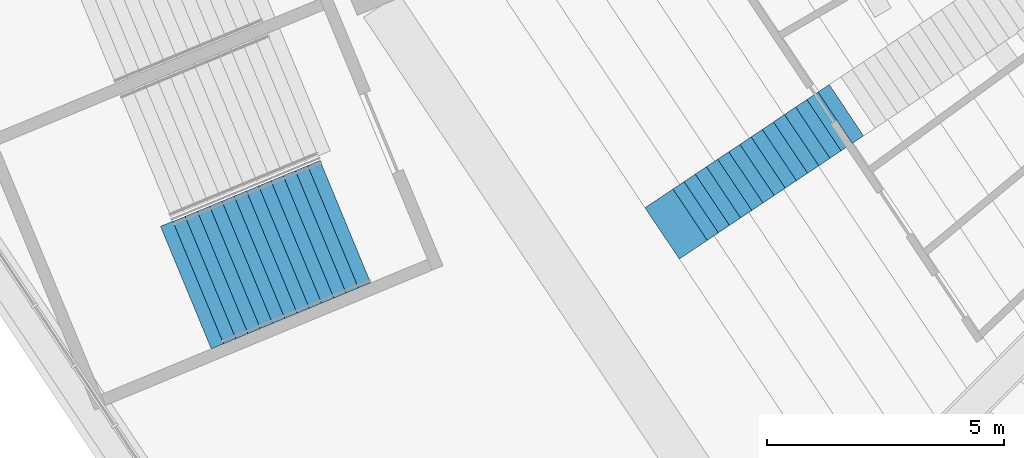
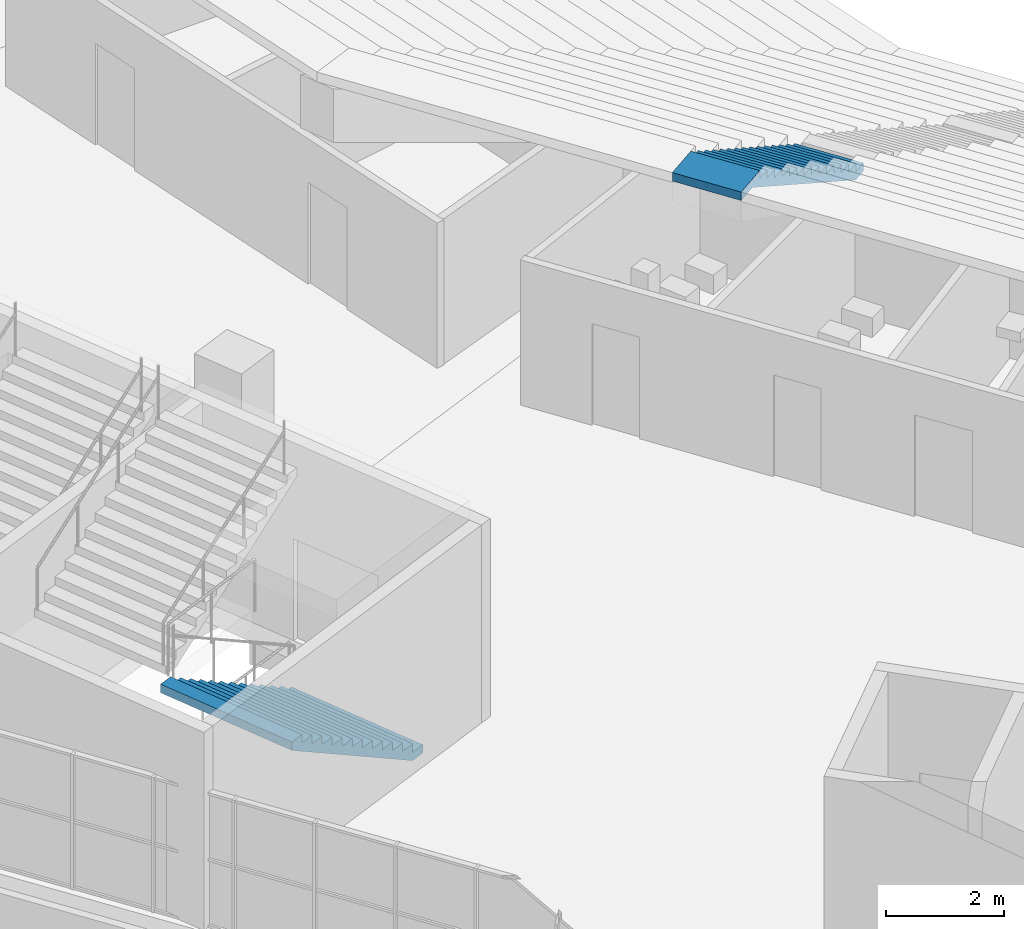
# One storey, part 130 of 249: 2 stair flights, 2 elements without a shape of their own.
"""IFC4 building model written with IfcOpenShell, lengths in metres."""

from ifc_helpers import new_model, si_unit, direction, frame, origin, place, context, subcontext, project, spatial, faceted_brep, material, type_object, element, aggregate, save


model = new_model("IFC4")

# Units and contexts
model_context = context("Model", 3, precision=1e-05, world=origin(), true_north=direction((0.0, 1.0)))
body_context = subcontext(model_context, "Body", "Model", "MODEL_VIEW")
ifc_project = project(units=[si_unit("LENGTHUNIT", "METRE"), si_unit("AREAUNIT", "SQUARE_METRE"), si_unit("VOLUMEUNIT", "CUBIC_METRE"), si_unit("PLANEANGLEUNIT", "RADIAN"), si_unit("MASSUNIT", "GRAM", prefix="KILO")], contexts=[model_context])

# Site, building, storey
site_placement = place(None, origin())
site = spatial("IfcSite", under=ifc_project, at=site_placement, CompositionType="ELEMENT")
building_placement = place(site_placement, origin())
building = spatial("IfcBuilding", under=site, at=building_placement, Name="Ogive Plaza Stadium", CompositionType="ELEMENT")
storey_placement = place(building_placement, frame((0.0, 0.0, 13.5)))
storey = spatial("IfcBuildingStorey", under=building, at=storey_placement, Name="L03", CompositionType="ELEMENT", Elevation=13.5)

# Stair, stair flight
ifc_material_1 = material(Name="Concrete C40/50", Category="concrete")
stair_type_1 = type_object("IfcStairType", Name="Aisle stair", PredefinedType="STRAIGHT_RUN_STAIR", material=ifc_material_1)
stair_1_placement = place(storey_placement, origin())
stair_1 = element("IfcStair", 1, at=stair_1_placement, inside=storey, type_object=stair_type_1, Name="Aisle stair SA19U", PredefinedType="STRAIGHT_RUN_STAIR")
ifc_material_2 = material(Name="Concrete C40/50", Category="concrete")
stair_flight_type_1 = type_object("IfcStairFlightType", Name="Aisle stair flight", PredefinedType="STRAIGHT", material=ifc_material_2)
stair_flight_1_placement = place(storey_placement, frame((-60.8564453125, -70.44482421875, 6.5), z_axis=(0.0, 0.0, 1.0), x_axis=(-0.831469612303, -0.55557023302, 0.0)))
stair_flight_1 = element("IfcStairFlight", 2, at=stair_flight_1_placement, type_object=stair_flight_type_1, Name="SA19U flight 3", NumberOfRisers=15, NumberOfTreads=14, PredefinedType="STRAIGHT", RiserHeight=0.166666667, TreadLength=0.283333333, context=body_context, shape_type="Brep", body=[
    faceted_brep([(0.295654296875, -0.64990234375, 0.0), (4.25, -0.64990234375, 2.326171875), (4.675537109375, -0.64990234375, 2.326171875), (4.675537109375, -0.64990234375, 2.5), (3.966552734375, -0.64990234375, 2.5), (3.966552734375, -0.64990234375, 2.333251953125), (3.683349609375, -0.64990234375, 2.333251953125), (3.683349609375, -0.64990234375, 2.166748046875), (3.39990234375, -0.64990234375, 2.166748046875), (3.39990234375, -0.64990234375, 2.0), (3.11669921875, -0.64990234375, 2.0), (3.11669921875, -0.64990234375, 1.833251953125), (2.833251953125, -0.64990234375, 1.833251953125), (2.833251953125, -0.64990234375, 1.666748046875), (2.550048828125, -0.64990234375, 1.666748046875), (2.550048828125, -0.64990234375, 1.5), (2.2666015625, -0.64990234375, 1.5), (2.2666015625, -0.64990234375, 1.333251953125), (1.9833984375, -0.64990234375, 1.333251953125), (1.9833984375, -0.64990234375, 1.166748046875), (1.699951171875, -0.64990234375, 1.166748046875), (1.699951171875, -0.64990234375, 1.0), (1.416748046875, -0.64990234375, 1.0), (1.416748046875, -0.64990234375, 0.833251953125), (1.13330078125, -0.64990234375, 0.833251953125), (1.13330078125, -0.64990234375, 0.666748046875), (0.85009765625, -0.64990234375, 0.666748046875), (0.85009765625, -0.64990234375, 0.5), (0.566650390625, -0.64990234375, 0.5), (0.566650390625, -0.64990234375, 0.333251953125), (0.283447265625, -0.64990234375, 0.333251953125), (0.283447265625, -0.64990234375, 0.166748046875), (0.0, -0.64990234375, 0.166748046875), (0.0, -0.64990234375, 0.0), (0.0, 0.64990234375, 0.0), (0.0, 0.64990234375, 0.166748046875), (0.283447265625, 0.64990234375, 0.166748046875), (0.283447265625, 0.64990234375, 0.333251953125), (0.566650390625, 0.64990234375, 0.333251953125), (0.566650390625, 0.64990234375, 0.5), (0.85009765625, 0.64990234375, 0.5), (0.85009765625, 0.64990234375, 0.666748046875), (1.13330078125, 0.64990234375, 0.666748046875), (1.13330078125, 0.64990234375, 0.833251953125), (1.416748046875, 0.64990234375, 0.833251953125), (1.416748046875, 0.64990234375, 1.0), (1.699951171875, 0.64990234375, 1.0), (1.699951171875, 0.64990234375, 1.166748046875), (1.9833984375, 0.64990234375, 1.166748046875), (1.9833984375, 0.64990234375, 1.333251953125), (2.2666015625, 0.64990234375, 1.333251953125), (2.2666015625, 0.64990234375, 1.5), (2.550048828125, 0.64990234375, 1.5), (2.550048828125, 0.64990234375, 1.666748046875), (2.833251953125, 0.64990234375, 1.666748046875), (2.833251953125, 0.64990234375, 1.833251953125), (3.11669921875, 0.64990234375, 1.833251953125), (3.11669921875, 0.64990234375, 2.0), (3.39990234375, 0.64990234375, 2.0), (3.39990234375, 0.64990234375, 2.166748046875), (3.683349609375, 0.64990234375, 2.166748046875), (3.683349609375, 0.64990234375, 2.333251953125), (3.966552734375, 0.64990234375, 2.333251953125), (3.966552734375, 0.64990234375, 2.5), (4.675537109375, 0.64990234375, 2.5), (4.675537109375, 0.64990234375, 2.326171875), (4.25, 0.64990234375, 2.326171875), (0.295654296875, 0.64990234375, 0.0), (0.295654296875, -0.324951171875, 0.0), (4.25, -0.324951171875, 2.326171875), (0.295654296875, 0.0, 0.0), (4.25, 0.0, 2.326171875), (0.295654296875, 0.324951171875, 0.0), (4.25, 0.324951171875, 2.326171875), (4.675537109375, -0.324951171875, 2.326171875), (4.675537109375, 0.0, 2.326171875), (4.675537109375, 0.324951171875, 2.326171875), (4.675537109375, -0.324951171875, 2.5), (4.675537109375, 0.0, 2.5), (4.675537109375, 0.324951171875, 2.5), (3.966552734375, -0.324951171875, 2.5), (3.966552734375, 0.0, 2.5), (3.966552734375, 0.324951171875, 2.5), (3.966552734375, -0.324951171875, 2.333251953125), (3.966552734375, 0.0, 2.333251953125), (3.966552734375, 0.324951171875, 2.333251953125), (3.683349609375, -0.324951171875, 2.333251953125), (3.683349609375, 0.0, 2.333251953125), (3.683349609375, 0.324951171875, 2.333251953125), (3.683349609375, -0.324951171875, 2.166748046875), (3.683349609375, 0.0, 2.166748046875), (3.683349609375, 0.324951171875, 2.166748046875), (3.39990234375, -0.324951171875, 2.166748046875), (3.39990234375, 0.0, 2.166748046875), (3.39990234375, 0.324951171875, 2.166748046875), (3.39990234375, -0.324951171875, 2.0), (3.39990234375, 0.0, 2.0), (3.39990234375, 0.324951171875, 2.0), (3.11669921875, -0.324951171875, 2.0), (3.11669921875, 0.0, 2.0), (3.11669921875, 0.324951171875, 2.0), (3.11669921875, -0.324951171875, 1.833251953125), (3.11669921875, 0.0, 1.833251953125), (3.11669921875, 0.324951171875, 1.833251953125), (2.833251953125, -0.324951171875, 1.833251953125), (2.833251953125, 0.0, 1.833251953125), (2.833251953125, 0.324951171875, 1.833251953125), (2.833251953125, -0.324951171875, 1.666748046875), (2.833251953125, 0.0, 1.666748046875), (2.833251953125, 0.324951171875, 1.666748046875), (2.550048828125, -0.324951171875, 1.666748046875), (2.550048828125, 0.0, 1.666748046875), (2.550048828125, 0.324951171875, 1.666748046875), (2.550048828125, -0.324951171875, 1.5), (2.550048828125, 0.0, 1.5), (2.550048828125, 0.324951171875, 1.5), (2.2666015625, -0.324951171875, 1.5), (2.2666015625, 0.0, 1.5), (2.2666015625, 0.324951171875, 1.5), (2.2666015625, -0.324951171875, 1.333251953125), (2.2666015625, 0.0, 1.333251953125), (2.2666015625, 0.324951171875, 1.333251953125), (1.9833984375, -0.324951171875, 1.333251953125), (1.9833984375, 0.0, 1.333251953125), (1.9833984375, 0.324951171875, 1.333251953125), (1.9833984375, -0.324951171875, 1.166748046875), (1.9833984375, 0.0, 1.166748046875), (1.9833984375, 0.324951171875, 1.166748046875), (1.699951171875, -0.324951171875, 1.166748046875), (1.699951171875, 0.0, 1.166748046875), (1.699951171875, 0.324951171875, 1.166748046875), (1.699951171875, -0.324951171875, 1.0), (1.699951171875, 0.0, 1.0), (1.699951171875, 0.324951171875, 1.0), (1.416748046875, -0.324951171875, 1.0), (1.416748046875, 0.0, 1.0), (1.416748046875, 0.324951171875, 1.0), (1.416748046875, -0.324951171875, 0.833251953125), (1.416748046875, 0.0, 0.833251953125), (1.416748046875, 0.324951171875, 0.833251953125), (1.13330078125, -0.324951171875, 0.833251953125), (1.13330078125, 0.0, 0.833251953125), (1.13330078125, 0.324951171875, 0.833251953125), (1.13330078125, -0.324951171875, 0.666748046875), (1.13330078125, 0.0, 0.666748046875), (1.13330078125, 0.324951171875, 0.666748046875), (0.85009765625, -0.324951171875, 0.666748046875), (0.85009765625, 0.0, 0.666748046875), (0.85009765625, 0.324951171875, 0.666748046875), (0.85009765625, -0.324951171875, 0.5), (0.85009765625, 0.0, 0.5), (0.85009765625, 0.324951171875, 0.5), (0.566650390625, -0.324951171875, 0.5), (0.566650390625, 0.0, 0.5), (0.566650390625, 0.324951171875, 0.5), (0.566650390625, -0.324951171875, 0.333251953125), (0.566650390625, 0.0, 0.333251953125), (0.566650390625, 0.324951171875, 0.333251953125), (0.283447265625, -0.324951171875, 0.333251953125), (0.283447265625, 0.0, 0.333251953125), (0.283447265625, 0.324951171875, 0.333251953125), (0.283447265625, -0.324951171875, 0.166748046875), (0.283447265625, 0.0, 0.166748046875), (0.283447265625, 0.324951171875, 0.166748046875), (0.0, -0.324951171875, 0.166748046875), (0.0, 0.0, 0.166748046875), (0.0, 0.324951171875, 0.166748046875), (0.0, -0.324951171875, 0.0), (0.0, 0.0, 0.0), (0.0, 0.324951171875, 0.0)], [[[0, 1, 2, 3, 4, 5, 6, 7, 8, 9, 10, 11, 12, 13, 14, 15, 16, 17, 18, 19, 20, 21, 22, 23, 24, 25, 26, 27, 28, 29, 30, 31, 32, 33]], [[34, 35, 36, 37, 38, 39, 40, 41, 42, 43, 44, 45, 46, 47, 48, 49, 50, 51, 52, 53, 54, 55, 56, 57, 58, 59, 60, 61, 62, 63, 64, 65, 66, 67]], [[0, 68, 69, 1]], [[68, 70, 71, 69]], [[70, 72, 73, 71]], [[72, 67, 66, 73]], [[1, 69, 74, 2]], [[69, 71, 75, 74]], [[71, 73, 76, 75]], [[73, 66, 65, 76]], [[2, 74, 77, 3]], [[74, 75, 78, 77]], [[75, 76, 79, 78]], [[76, 65, 64, 79]], [[3, 77, 80, 4]], [[77, 78, 81, 80]], [[78, 79, 82, 81]], [[79, 64, 63, 82]], [[4, 80, 83, 5]], [[80, 81, 84, 83]], [[81, 82, 85, 84]], [[82, 63, 62, 85]], [[5, 83, 86, 6]], [[83, 84, 87, 86]], [[84, 85, 88, 87]], [[85, 62, 61, 88]], [[6, 86, 89, 7]], [[86, 87, 90, 89]], [[87, 88, 91, 90]], [[88, 61, 60, 91]], [[7, 89, 92, 8]], [[89, 90, 93, 92]], [[90, 91, 94, 93]], [[91, 60, 59, 94]], [[8, 92, 95, 9]], [[92, 93, 96, 95]], [[93, 94, 97, 96]], [[94, 59, 58, 97]], [[9, 95, 98, 10]], [[95, 96, 99, 98]], [[96, 97, 100, 99]], [[97, 58, 57, 100]], [[10, 98, 101, 11]], [[98, 99, 102, 101]], [[99, 100, 103, 102]], [[100, 57, 56, 103]], [[11, 101, 104, 12]], [[101, 102, 105, 104]], [[102, 103, 106, 105]], [[103, 56, 55, 106]], [[12, 104, 107, 13]], [[104, 105, 108, 107]], [[105, 106, 109, 108]], [[106, 55, 54, 109]], [[13, 107, 110, 14]], [[107, 108, 111, 110]], [[108, 109, 112, 111]], [[109, 54, 53, 112]], [[14, 110, 113, 15]], [[110, 111, 114, 113]], [[111, 112, 115, 114]], [[112, 53, 52, 115]], [[15, 113, 116, 16]], [[113, 114, 117, 116]], [[114, 115, 118, 117]], [[115, 52, 51, 118]], [[16, 116, 119, 17]], [[116, 117, 120, 119]], [[117, 118, 121, 120]], [[118, 51, 50, 121]], [[17, 119, 122, 18]], [[119, 120, 123, 122]], [[120, 121, 124, 123]], [[121, 50, 49, 124]], [[18, 122, 125, 19]], [[122, 123, 126, 125]], [[123, 124, 127, 126]], [[124, 49, 48, 127]], [[19, 125, 128, 20]], [[125, 126, 129, 128]], [[126, 127, 130, 129]], [[127, 48, 47, 130]], [[20, 128, 131, 21]], [[128, 129, 132, 131]], [[129, 130, 133, 132]], [[130, 47, 46, 133]], [[21, 131, 134, 22]], [[131, 132, 135, 134]], [[132, 133, 136, 135]], [[133, 46, 45, 136]], [[22, 134, 137, 23]], [[134, 135, 138, 137]], [[135, 136, 139, 138]], [[136, 45, 44, 139]], [[23, 137, 140, 24]], [[137, 138, 141, 140]], [[138, 139, 142, 141]], [[139, 44, 43, 142]], [[24, 140, 143, 25]], [[140, 141, 144, 143]], [[141, 142, 145, 144]], [[142, 43, 42, 145]], [[25, 143, 146, 26]], [[143, 144, 147, 146]], [[144, 145, 148, 147]], [[145, 42, 41, 148]], [[26, 146, 149, 27]], [[146, 147, 150, 149]], [[147, 148, 151, 150]], [[148, 41, 40, 151]], [[27, 149, 152, 28]], [[149, 150, 153, 152]], [[150, 151, 154, 153]], [[151, 40, 39, 154]], [[28, 152, 155, 29]], [[152, 153, 156, 155]], [[153, 154, 157, 156]], [[154, 39, 38, 157]], [[29, 155, 158, 30]], [[155, 156, 159, 158]], [[156, 157, 160, 159]], [[157, 38, 37, 160]], [[30, 158, 161, 31]], [[158, 159, 162, 161]], [[159, 160, 163, 162]], [[160, 37, 36, 163]], [[31, 161, 164, 32]], [[161, 162, 165, 164]], [[162, 163, 166, 165]], [[163, 36, 35, 166]], [[32, 164, 167, 33]], [[164, 165, 168, 167]], [[165, 166, 169, 168]], [[166, 35, 34, 169]], [[33, 167, 68, 0]], [[167, 168, 70, 68]], [[168, 169, 72, 70]], [[169, 34, 67, 72]]]),
])
aggregate(stair_1, [stair_flight_1])

ifc_material_3 = material(Name="Concrete C40/50", Category="concrete")
stair_type_2 = type_object("IfcStairType", Name="Exit stair", PredefinedType="STRAIGHT_RUN_STAIR", material=ifc_material_3)
stair_2_placement = place(storey_placement, origin())
stair_2 = element("IfcStair", 3, at=stair_2_placement, inside=storey, type_object=stair_type_2, Name="Exit stair ST20B L03 to L04", PredefinedType="STRAIGHT_RUN_STAIR")
ifc_material_4 = material(Name="Concrete C40/50", Category="concrete")
stair_flight_type_2 = type_object("IfcStairFlightType", Name="Exit stair flight", PredefinedType="STRAIGHT", material=ifc_material_4)
stair_flight_2_placement = place(storey_placement, frame((-71.432861328125, -72.794921875, 0.0), z_axis=(0.0, 0.0, 1.0), x_axis=(-0.923879532511, -0.382683432365, 0.0)))
stair_flight_2 = element("IfcStairFlight", 4, at=stair_flight_2_placement, type_object=stair_flight_type_2, Name="ST20B flight 1", NumberOfRisers=13, NumberOfTreads=12, PredefinedType="STRAIGHT", RiserHeight=0.173076923, TreadLength=0.28, context=body_context, shape_type="Brep", body=[
    faceted_brep([(0.28515625, -1.39990234375, 0.0), (3.639892578125, -1.39990234375, 2.07373046875), (3.639892578125, -1.39990234375, 2.25), (3.360107421875, -1.39990234375, 2.25), (3.360107421875, -1.39990234375, 2.076904296875), (3.080078125, -1.39990234375, 2.076904296875), (3.080078125, -1.39990234375, 1.90380859375), (2.800048828125, -1.39990234375, 1.90380859375), (2.800048828125, -1.39990234375, 1.730712890625), (2.52001953125, -1.39990234375, 1.730712890625), (2.52001953125, -1.39990234375, 1.5576171875), (2.239990234375, -1.39990234375, 1.5576171875), (2.239990234375, -1.39990234375, 1.384521484375), (1.9599609375, -1.39990234375, 1.384521484375), (1.9599609375, -1.39990234375, 1.21142578125), (1.679931640625, -1.39990234375, 1.21142578125), (1.679931640625, -1.39990234375, 1.03857421875), (1.39990234375, -1.39990234375, 1.03857421875), (1.39990234375, -1.39990234375, 0.865478515625), (1.1201171875, -1.39990234375, 0.865478515625), (1.1201171875, -1.39990234375, 0.6923828125), (0.840087890625, -1.39990234375, 0.6923828125), (0.840087890625, -1.39990234375, 0.519287109375), (0.56005859375, -1.39990234375, 0.519287109375), (0.56005859375, -1.39990234375, 0.34619140625), (0.280029296875, -1.39990234375, 0.34619140625), (0.280029296875, -1.39990234375, 0.173095703125), (0.0, -1.39990234375, 0.173095703125), (0.0, -1.39990234375, 0.0), (0.0, 1.39990234375, 0.0), (0.0, 1.39990234375, 0.173095703125), (0.280029296875, 1.39990234375, 0.173095703125), (0.280029296875, 1.39990234375, 0.34619140625), (0.56005859375, 1.39990234375, 0.34619140625), (0.56005859375, 1.39990234375, 0.519287109375), (0.840087890625, 1.39990234375, 0.519287109375), (0.840087890625, 1.39990234375, 0.6923828125), (1.1201171875, 1.39990234375, 0.6923828125), (1.1201171875, 1.39990234375, 0.865478515625), (1.39990234375, 1.39990234375, 0.865478515625), (1.39990234375, 1.39990234375, 1.03857421875), (1.679931640625, 1.39990234375, 1.03857421875), (1.679931640625, 1.39990234375, 1.21142578125), (1.9599609375, 1.39990234375, 1.21142578125), (1.9599609375, 1.39990234375, 1.384521484375), (2.239990234375, 1.39990234375, 1.384521484375), (2.239990234375, 1.39990234375, 1.5576171875), (2.52001953125, 1.39990234375, 1.5576171875), (2.52001953125, 1.39990234375, 1.730712890625), (2.800048828125, 1.39990234375, 1.730712890625), (2.800048828125, 1.39990234375, 1.90380859375), (3.080078125, 1.39990234375, 1.90380859375), (3.080078125, 1.39990234375, 2.076904296875), (3.360107421875, 1.39990234375, 2.076904296875), (3.360107421875, 1.39990234375, 2.25), (3.639892578125, 1.39990234375, 2.25), (3.639892578125, 1.39990234375, 2.07373046875), (0.28515625, 1.39990234375, 0.0), (0.28515625, -1.0888671875, 0.0), (3.639892578125, -1.0888671875, 2.07373046875), (0.28515625, -0.77783203125, 0.0), (3.639892578125, -0.77783203125, 2.07373046875), (0.28515625, -0.466796875, 0.0), (3.639892578125, -0.466796875, 2.07373046875), (0.28515625, -0.155517578125, 0.0), (3.639892578125, -0.155517578125, 2.07373046875), (0.28515625, 0.155517578125, 0.0), (3.639892578125, 0.155517578125, 2.07373046875), (0.28515625, 0.466796875, 0.0), (3.639892578125, 0.466796875, 2.07373046875), (0.28515625, 0.77783203125, 0.0), (3.639892578125, 0.77783203125, 2.07373046875), (0.28515625, 1.0888671875, 0.0), (3.639892578125, 1.0888671875, 2.07373046875), (3.639892578125, -1.0888671875, 2.25), (3.639892578125, -0.77783203125, 2.25), (3.639892578125, -0.466796875, 2.25), (3.639892578125, -0.155517578125, 2.25), (3.639892578125, 0.155517578125, 2.25), (3.639892578125, 0.466796875, 2.25), (3.639892578125, 0.77783203125, 2.25), (3.639892578125, 1.0888671875, 2.25), (3.360107421875, -1.0888671875, 2.25), (3.360107421875, -0.77783203125, 2.25), (3.360107421875, -0.466796875, 2.25), (3.360107421875, -0.155517578125, 2.25), (3.360107421875, 0.155517578125, 2.25), (3.360107421875, 0.466796875, 2.25), (3.360107421875, 0.77783203125, 2.25), (3.360107421875, 1.0888671875, 2.25), (3.360107421875, -1.0888671875, 2.076904296875), (3.360107421875, -0.77783203125, 2.076904296875), (3.360107421875, -0.466796875, 2.076904296875), (3.360107421875, -0.155517578125, 2.076904296875), (3.360107421875, 0.155517578125, 2.076904296875), (3.360107421875, 0.466796875, 2.076904296875), (3.360107421875, 0.77783203125, 2.076904296875), (3.360107421875, 1.0888671875, 2.076904296875), (3.080078125, -1.0888671875, 2.076904296875), (3.080078125, -0.77783203125, 2.076904296875), (3.080078125, -0.466796875, 2.076904296875), (3.080078125, -0.155517578125, 2.076904296875), (3.080078125, 0.155517578125, 2.076904296875), (3.080078125, 0.466796875, 2.076904296875), (3.080078125, 0.77783203125, 2.076904296875), (3.080078125, 1.0888671875, 2.076904296875), (3.080078125, -1.0888671875, 1.90380859375), (3.080078125, -0.77783203125, 1.90380859375), (3.080078125, -0.466796875, 1.90380859375), (3.080078125, -0.155517578125, 1.90380859375), (3.080078125, 0.155517578125, 1.90380859375), (3.080078125, 0.466796875, 1.90380859375), (3.080078125, 0.77783203125, 1.90380859375), (3.080078125, 1.0888671875, 1.90380859375), (2.800048828125, -1.0888671875, 1.90380859375), (2.800048828125, -0.77783203125, 1.90380859375), (2.800048828125, -0.466796875, 1.90380859375), (2.800048828125, -0.155517578125, 1.90380859375), (2.800048828125, 0.155517578125, 1.90380859375), (2.800048828125, 0.466796875, 1.90380859375), (2.800048828125, 0.77783203125, 1.90380859375), (2.800048828125, 1.0888671875, 1.90380859375), (2.800048828125, -1.0888671875, 1.730712890625), (2.800048828125, -0.77783203125, 1.730712890625), (2.800048828125, -0.466796875, 1.730712890625), (2.800048828125, -0.155517578125, 1.730712890625), (2.800048828125, 0.155517578125, 1.730712890625), (2.800048828125, 0.466796875, 1.730712890625), (2.800048828125, 0.77783203125, 1.730712890625), (2.800048828125, 1.0888671875, 1.730712890625), (2.52001953125, -1.0888671875, 1.730712890625), (2.52001953125, -0.77783203125, 1.730712890625), (2.52001953125, -0.466796875, 1.730712890625), (2.52001953125, -0.155517578125, 1.730712890625), (2.52001953125, 0.155517578125, 1.730712890625), (2.52001953125, 0.466796875, 1.730712890625), (2.52001953125, 0.77783203125, 1.730712890625), (2.52001953125, 1.0888671875, 1.730712890625), (2.52001953125, -1.0888671875, 1.5576171875), (2.52001953125, -0.77783203125, 1.5576171875), (2.52001953125, -0.466796875, 1.5576171875), (2.52001953125, -0.155517578125, 1.5576171875), (2.52001953125, 0.155517578125, 1.5576171875), (2.52001953125, 0.466796875, 1.5576171875), (2.52001953125, 0.77783203125, 1.5576171875), (2.52001953125, 1.0888671875, 1.5576171875), (2.239990234375, -1.0888671875, 1.5576171875), (2.239990234375, -0.77783203125, 1.5576171875), (2.239990234375, -0.466796875, 1.5576171875), (2.239990234375, -0.155517578125, 1.5576171875), (2.239990234375, 0.155517578125, 1.5576171875), (2.239990234375, 0.466796875, 1.5576171875), (2.239990234375, 0.77783203125, 1.5576171875), (2.239990234375, 1.0888671875, 1.5576171875), (2.239990234375, -1.0888671875, 1.384521484375), (2.239990234375, -0.77783203125, 1.384521484375), (2.239990234375, -0.466796875, 1.384521484375), (2.239990234375, -0.155517578125, 1.384521484375), (2.239990234375, 0.155517578125, 1.384521484375), (2.239990234375, 0.466796875, 1.384521484375), (2.239990234375, 0.77783203125, 1.384521484375), (2.239990234375, 1.0888671875, 1.384521484375), (1.9599609375, -1.0888671875, 1.384521484375), (1.9599609375, -0.77783203125, 1.384521484375), (1.9599609375, -0.466796875, 1.384521484375), (1.9599609375, -0.155517578125, 1.384521484375), (1.9599609375, 0.155517578125, 1.384521484375), (1.9599609375, 0.466796875, 1.384521484375), (1.9599609375, 0.77783203125, 1.384521484375), (1.9599609375, 1.0888671875, 1.384521484375), (1.9599609375, -1.0888671875, 1.21142578125), (1.9599609375, -0.77783203125, 1.21142578125), (1.9599609375, -0.466796875, 1.21142578125), (1.9599609375, -0.155517578125, 1.21142578125), (1.9599609375, 0.155517578125, 1.21142578125), (1.9599609375, 0.466796875, 1.21142578125), (1.9599609375, 0.77783203125, 1.21142578125), (1.9599609375, 1.0888671875, 1.21142578125), (1.679931640625, -1.0888671875, 1.21142578125), (1.679931640625, -0.77783203125, 1.21142578125), (1.679931640625, -0.466796875, 1.21142578125), (1.679931640625, -0.155517578125, 1.21142578125), (1.679931640625, 0.155517578125, 1.21142578125), (1.679931640625, 0.466796875, 1.21142578125), (1.679931640625, 0.77783203125, 1.21142578125), (1.679931640625, 1.0888671875, 1.21142578125), (1.679931640625, -1.0888671875, 1.03857421875), (1.679931640625, -0.77783203125, 1.03857421875), (1.679931640625, -0.466796875, 1.03857421875), (1.679931640625, -0.155517578125, 1.03857421875), (1.679931640625, 0.155517578125, 1.03857421875), (1.679931640625, 0.466796875, 1.03857421875), (1.679931640625, 0.77783203125, 1.03857421875), (1.679931640625, 1.0888671875, 1.03857421875), (1.39990234375, -1.0888671875, 1.03857421875), (1.39990234375, -0.77783203125, 1.03857421875), (1.39990234375, -0.466796875, 1.03857421875), (1.39990234375, -0.155517578125, 1.03857421875), (1.39990234375, 0.155517578125, 1.03857421875), (1.39990234375, 0.466796875, 1.03857421875), (1.39990234375, 0.77783203125, 1.03857421875), (1.39990234375, 1.0888671875, 1.03857421875), (1.39990234375, -1.0888671875, 0.865478515625), (1.39990234375, -0.77783203125, 0.865478515625), (1.39990234375, -0.466796875, 0.865478515625), (1.39990234375, -0.155517578125, 0.865478515625), (1.39990234375, 0.155517578125, 0.865478515625), (1.39990234375, 0.466796875, 0.865478515625), (1.39990234375, 0.77783203125, 0.865478515625), (1.39990234375, 1.0888671875, 0.865478515625), (1.1201171875, -1.0888671875, 0.865478515625), (1.1201171875, -0.77783203125, 0.865478515625), (1.1201171875, -0.466796875, 0.865478515625), (1.1201171875, -0.155517578125, 0.865478515625), (1.1201171875, 0.155517578125, 0.865478515625), (1.1201171875, 0.466796875, 0.865478515625), (1.1201171875, 0.77783203125, 0.865478515625), (1.1201171875, 1.0888671875, 0.865478515625), (1.1201171875, -1.0888671875, 0.6923828125), (1.1201171875, -0.77783203125, 0.6923828125), (1.1201171875, -0.466796875, 0.6923828125), (1.1201171875, -0.155517578125, 0.6923828125), (1.1201171875, 0.155517578125, 0.6923828125), (1.1201171875, 0.466796875, 0.6923828125), (1.1201171875, 0.77783203125, 0.6923828125), (1.1201171875, 1.0888671875, 0.6923828125), (0.840087890625, -1.0888671875, 0.6923828125), (0.840087890625, -0.77783203125, 0.6923828125), (0.840087890625, -0.466796875, 0.6923828125), (0.840087890625, -0.155517578125, 0.6923828125), (0.840087890625, 0.155517578125, 0.6923828125), (0.840087890625, 0.466796875, 0.6923828125), (0.840087890625, 0.77783203125, 0.6923828125), (0.840087890625, 1.0888671875, 0.6923828125), (0.840087890625, -1.0888671875, 0.519287109375), (0.840087890625, -0.77783203125, 0.519287109375), (0.840087890625, -0.466796875, 0.519287109375), (0.840087890625, -0.155517578125, 0.519287109375), (0.840087890625, 0.155517578125, 0.519287109375), (0.840087890625, 0.466796875, 0.519287109375), (0.840087890625, 0.77783203125, 0.519287109375), (0.840087890625, 1.0888671875, 0.519287109375), (0.56005859375, -1.0888671875, 0.519287109375), (0.56005859375, -0.77783203125, 0.519287109375), (0.56005859375, -0.466796875, 0.519287109375), (0.56005859375, -0.155517578125, 0.519287109375), (0.56005859375, 0.155517578125, 0.519287109375), (0.56005859375, 0.466796875, 0.519287109375), (0.56005859375, 0.77783203125, 0.519287109375), (0.56005859375, 1.0888671875, 0.519287109375), (0.56005859375, -1.0888671875, 0.34619140625), (0.56005859375, -0.77783203125, 0.34619140625), (0.56005859375, -0.466796875, 0.34619140625), (0.56005859375, -0.155517578125, 0.34619140625), (0.56005859375, 0.155517578125, 0.34619140625), (0.56005859375, 0.466796875, 0.34619140625), (0.56005859375, 0.77783203125, 0.34619140625), (0.56005859375, 1.0888671875, 0.34619140625), (0.280029296875, -1.0888671875, 0.34619140625), (0.280029296875, -0.77783203125, 0.34619140625), (0.280029296875, -0.466796875, 0.34619140625), (0.280029296875, -0.155517578125, 0.34619140625), (0.280029296875, 0.155517578125, 0.34619140625), (0.280029296875, 0.466796875, 0.34619140625), (0.280029296875, 0.77783203125, 0.34619140625), (0.280029296875, 1.0888671875, 0.34619140625), (0.280029296875, -1.0888671875, 0.173095703125), (0.280029296875, -0.77783203125, 0.173095703125), (0.280029296875, -0.466796875, 0.173095703125), (0.280029296875, -0.155517578125, 0.173095703125), (0.280029296875, 0.155517578125, 0.173095703125), (0.280029296875, 0.466796875, 0.173095703125), (0.280029296875, 0.77783203125, 0.173095703125), (0.280029296875, 1.0888671875, 0.173095703125), (0.0, -1.0888671875, 0.173095703125), (0.0, -0.77783203125, 0.173095703125), (0.0, -0.466796875, 0.173095703125), (0.0, -0.155517578125, 0.173095703125), (0.0, 0.155517578125, 0.173095703125), (0.0, 0.466796875, 0.173095703125), (0.0, 0.77783203125, 0.173095703125), (0.0, 1.0888671875, 0.173095703125), (0.0, -1.0888671875, 0.0), (0.0, -0.77783203125, 0.0), (0.0, -0.466796875, 0.0), (0.0, -0.155517578125, 0.0), (0.0, 0.155517578125, 0.0), (0.0, 0.466796875, 0.0), (0.0, 0.77783203125, 0.0), (0.0, 1.0888671875, 0.0)], [[[0, 1, 2, 3, 4, 5, 6, 7, 8, 9, 10, 11, 12, 13, 14, 15, 16, 17, 18, 19, 20, 21, 22, 23, 24, 25, 26, 27, 28]], [[29, 30, 31, 32, 33, 34, 35, 36, 37, 38, 39, 40, 41, 42, 43, 44, 45, 46, 47, 48, 49, 50, 51, 52, 53, 54, 55, 56, 57]], [[0, 58, 59, 1]], [[58, 60, 61, 59]], [[60, 62, 63, 61]], [[62, 64, 65, 63]], [[64, 66, 67, 65]], [[66, 68, 69, 67]], [[68, 70, 71, 69]], [[70, 72, 73, 71]], [[72, 57, 56, 73]], [[1, 59, 74, 2]], [[59, 61, 75, 74]], [[61, 63, 76, 75]], [[63, 65, 77, 76]], [[65, 67, 78, 77]], [[67, 69, 79, 78]], [[69, 71, 80, 79]], [[71, 73, 81, 80]], [[73, 56, 55, 81]], [[2, 74, 82, 3]], [[74, 75, 83, 82]], [[75, 76, 84, 83]], [[76, 77, 85, 84]], [[77, 78, 86, 85]], [[78, 79, 87, 86]], [[79, 80, 88, 87]], [[80, 81, 89, 88]], [[81, 55, 54, 89]], [[3, 82, 90, 4]], [[82, 83, 91, 90]], [[83, 84, 92, 91]], [[84, 85, 93, 92]], [[85, 86, 94, 93]], [[86, 87, 95, 94]], [[87, 88, 96, 95]], [[88, 89, 97, 96]], [[89, 54, 53, 97]], [[4, 90, 98, 5]], [[90, 91, 99, 98]], [[91, 92, 100, 99]], [[92, 93, 101, 100]], [[93, 94, 102, 101]], [[94, 95, 103, 102]], [[95, 96, 104, 103]], [[96, 97, 105, 104]], [[97, 53, 52, 105]], [[5, 98, 106, 6]], [[98, 99, 107, 106]], [[99, 100, 108, 107]], [[100, 101, 109, 108]], [[101, 102, 110, 109]], [[102, 103, 111, 110]], [[103, 104, 112, 111]], [[104, 105, 113, 112]], [[105, 52, 51, 113]], [[6, 106, 114, 7]], [[106, 107, 115, 114]], [[107, 108, 116, 115]], [[108, 109, 117, 116]], [[109, 110, 118, 117]], [[110, 111, 119, 118]], [[111, 112, 120, 119]], [[112, 113, 121, 120]], [[113, 51, 50, 121]], [[7, 114, 122, 8]], [[114, 115, 123, 122]], [[115, 116, 124, 123]], [[116, 117, 125, 124]], [[117, 118, 126, 125]], [[118, 119, 127, 126]], [[119, 120, 128, 127]], [[120, 121, 129, 128]], [[121, 50, 49, 129]], [[8, 122, 130, 9]], [[122, 123, 131, 130]], [[123, 124, 132, 131]], [[124, 125, 133, 132]], [[125, 126, 134, 133]], [[126, 127, 135, 134]], [[127, 128, 136, 135]], [[128, 129, 137, 136]], [[129, 49, 48, 137]], [[9, 130, 138, 10]], [[130, 131, 139, 138]], [[131, 132, 140, 139]], [[132, 133, 141, 140]], [[133, 134, 142, 141]], [[134, 135, 143, 142]], [[135, 136, 144, 143]], [[136, 137, 145, 144]], [[137, 48, 47, 145]], [[10, 138, 146, 11]], [[138, 139, 147, 146]], [[139, 140, 148, 147]], [[140, 141, 149, 148]], [[141, 142, 150, 149]], [[142, 143, 151, 150]], [[143, 144, 152, 151]], [[144, 145, 153, 152]], [[145, 47, 46, 153]], [[11, 146, 154, 12]], [[146, 147, 155, 154]], [[147, 148, 156, 155]], [[148, 149, 157, 156]], [[149, 150, 158, 157]], [[150, 151, 159, 158]], [[151, 152, 160, 159]], [[152, 153, 161, 160]], [[153, 46, 45, 161]], [[12, 154, 162, 13]], [[154, 155, 163, 162]], [[155, 156, 164, 163]], [[156, 157, 165, 164]], [[157, 158, 166, 165]], [[158, 159, 167, 166]], [[159, 160, 168, 167]], [[160, 161, 169, 168]], [[161, 45, 44, 169]], [[13, 162, 170, 14]], [[162, 163, 171, 170]], [[163, 164, 172, 171]], [[164, 165, 173, 172]], [[165, 166, 174, 173]], [[166, 167, 175, 174]], [[167, 168, 176, 175]], [[168, 169, 177, 176]], [[169, 44, 43, 177]], [[14, 170, 178, 15]], [[170, 171, 179, 178]], [[171, 172, 180, 179]], [[172, 173, 181, 180]], [[173, 174, 182, 181]], [[174, 175, 183, 182]], [[175, 176, 184, 183]], [[176, 177, 185, 184]], [[177, 43, 42, 185]], [[15, 178, 186, 16]], [[178, 179, 187, 186]], [[179, 180, 188, 187]], [[180, 181, 189, 188]], [[181, 182, 190, 189]], [[182, 183, 191, 190]], [[183, 184, 192, 191]], [[184, 185, 193, 192]], [[185, 42, 41, 193]], [[16, 186, 194, 17]], [[186, 187, 195, 194]], [[187, 188, 196, 195]], [[188, 189, 197, 196]], [[189, 190, 198, 197]], [[190, 191, 199, 198]], [[191, 192, 200, 199]], [[192, 193, 201, 200]], [[193, 41, 40, 201]], [[17, 194, 202, 18]], [[194, 195, 203, 202]], [[195, 196, 204, 203]], [[196, 197, 205, 204]], [[197, 198, 206, 205]], [[198, 199, 207, 206]], [[199, 200, 208, 207]], [[200, 201, 209, 208]], [[201, 40, 39, 209]], [[18, 202, 210, 19]], [[202, 203, 211, 210]], [[203, 204, 212, 211]], [[204, 205, 213, 212]], [[205, 206, 214, 213]], [[206, 207, 215, 214]], [[207, 208, 216, 215]], [[208, 209, 217, 216]], [[209, 39, 38, 217]], [[19, 210, 218, 20]], [[210, 211, 219, 218]], [[211, 212, 220, 219]], [[212, 213, 221, 220]], [[213, 214, 222, 221]], [[214, 215, 223, 222]], [[215, 216, 224, 223]], [[216, 217, 225, 224]], [[217, 38, 37, 225]], [[20, 218, 226, 21]], [[218, 219, 227, 226]], [[219, 220, 228, 227]], [[220, 221, 229, 228]], [[221, 222, 230, 229]], [[222, 223, 231, 230]], [[223, 224, 232, 231]], [[224, 225, 233, 232]], [[225, 37, 36, 233]], [[21, 226, 234, 22]], [[226, 227, 235, 234]], [[227, 228, 236, 235]], [[228, 229, 237, 236]], [[229, 230, 238, 237]], [[230, 231, 239, 238]], [[231, 232, 240, 239]], [[232, 233, 241, 240]], [[233, 36, 35, 241]], [[22, 234, 242, 23]], [[234, 235, 243, 242]], [[235, 236, 244, 243]], [[236, 237, 245, 244]], [[237, 238, 246, 245]], [[238, 239, 247, 246]], [[239, 240, 248, 247]], [[240, 241, 249, 248]], [[241, 35, 34, 249]], [[23, 242, 250, 24]], [[242, 243, 251, 250]], [[243, 244, 252, 251]], [[244, 245, 253, 252]], [[245, 246, 254, 253]], [[246, 247, 255, 254]], [[247, 248, 256, 255]], [[248, 249, 257, 256]], [[249, 34, 33, 257]], [[24, 250, 258, 25]], [[250, 251, 259, 258]], [[251, 252, 260, 259]], [[252, 253, 261, 260]], [[253, 254, 262, 261]], [[254, 255, 263, 262]], [[255, 256, 264, 263]], [[256, 257, 265, 264]], [[257, 33, 32, 265]], [[25, 258, 266, 26]], [[258, 259, 267, 266]], [[259, 260, 268, 267]], [[260, 261, 269, 268]], [[261, 262, 270, 269]], [[262, 263, 271, 270]], [[263, 264, 272, 271]], [[264, 265, 273, 272]], [[265, 32, 31, 273]], [[26, 266, 274, 27]], [[266, 267, 275, 274]], [[267, 268, 276, 275]], [[268, 269, 277, 276]], [[269, 270, 278, 277]], [[270, 271, 279, 278]], [[271, 272, 280, 279]], [[272, 273, 281, 280]], [[273, 31, 30, 281]], [[27, 274, 282, 28]], [[274, 275, 283, 282]], [[275, 276, 284, 283]], [[276, 277, 285, 284]], [[277, 278, 286, 285]], [[278, 279, 287, 286]], [[279, 280, 288, 287]], [[280, 281, 289, 288]], [[281, 30, 29, 289]], [[28, 282, 58, 0]], [[282, 283, 60, 58]], [[283, 284, 62, 60]], [[284, 285, 64, 62]], [[285, 286, 66, 64]], [[286, 287, 68, 66]], [[287, 288, 70, 68]], [[288, 289, 72, 70]], [[289, 29, 57, 72]]]),
])
aggregate(stair_2, [stair_flight_2])

save(model, "model.ifc")
